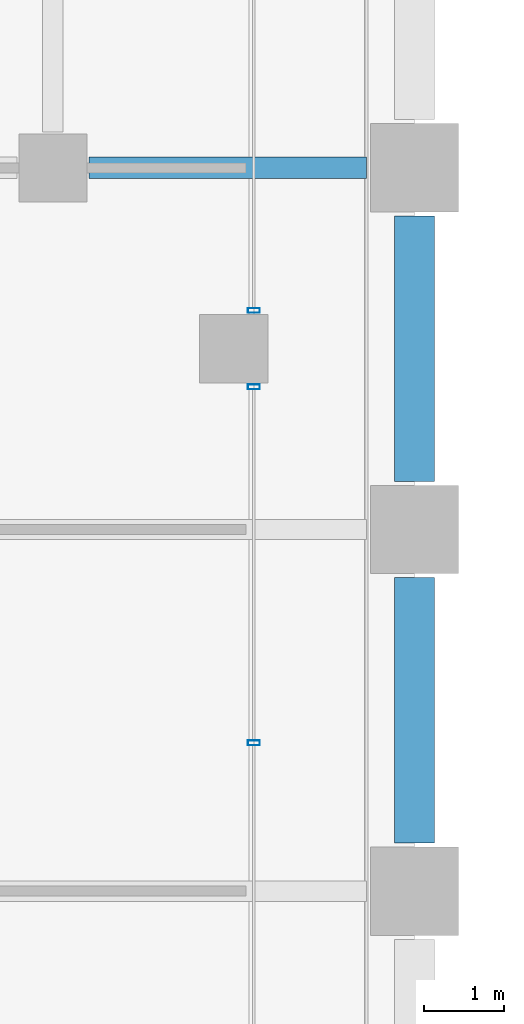
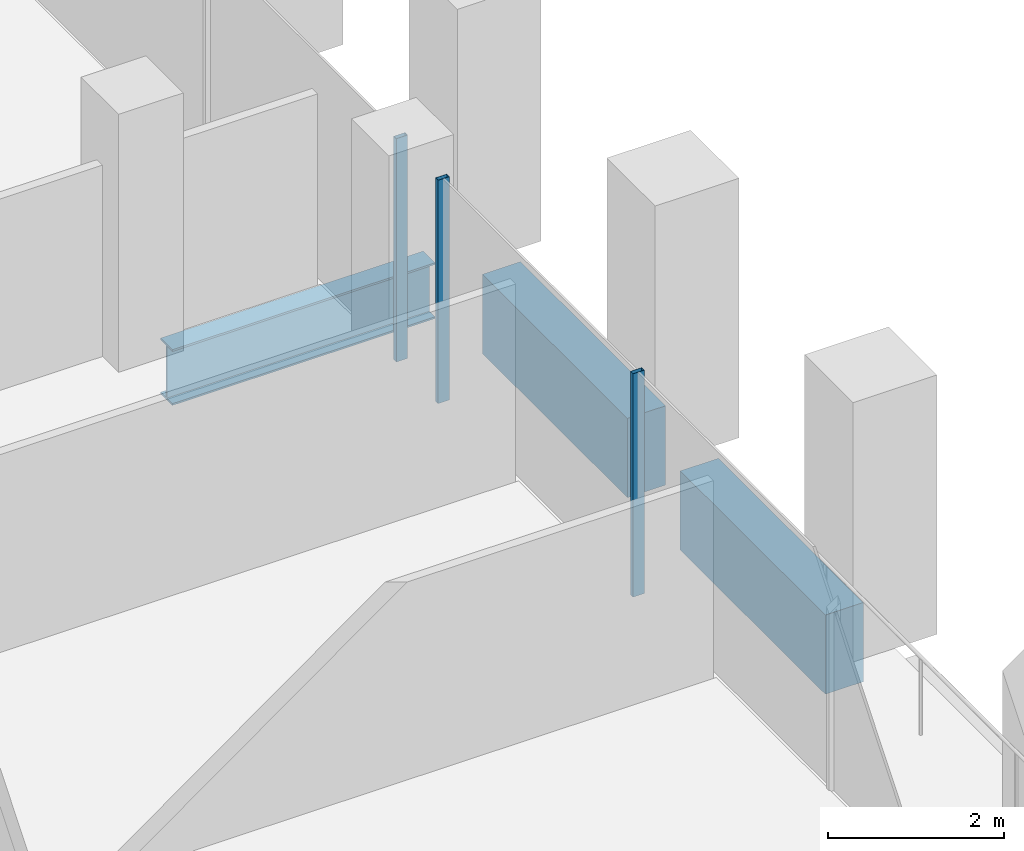
# One storey, part 22 of 55: 3 beams, 3 members, 2 elements without a shape of their own.
"""IFC4 building model written with IfcOpenShell, lengths in metres."""

from ifc_helpers import new_model, si_unit, direction, frame, origin, origin_2d, place, context, subcontext, project, spatial, rectangle, hollow_rectangle, i_section, extrude, material, material_profile, profile_set, type_object, element, aggregate, save


model = new_model("IFC4")

# Units and contexts
model_context = context("Model", 3, precision=1e-05, world=origin(), true_north=direction((0.0, 1.0)))
body_context = subcontext(model_context, "Body", "Model", "MODEL_VIEW")
ifc_project = project(units=[si_unit("LENGTHUNIT", "METRE"), si_unit("AREAUNIT", "SQUARE_METRE"), si_unit("VOLUMEUNIT", "CUBIC_METRE"), si_unit("PLANEANGLEUNIT", "RADIAN"), si_unit("MASSUNIT", "GRAM", prefix="KILO")], contexts=[model_context])

# Site, building, storey
site_placement = place(None, origin())
site = spatial("IfcSite", under=ifc_project, at=site_placement, CompositionType="ELEMENT")
building_placement = place(site_placement, origin())
building = spatial("IfcBuilding", under=site, at=building_placement, Name="Altepetl Exchange Towers", CompositionType="ELEMENT")
storey_placement = place(building_placement, frame((0.0, 0.0, 47.39990234375)))
storey = spatial("IfcBuildingStorey", under=building, at=storey_placement, Name="L10", CompositionType="ELEMENT", Elevation=47.39990234375)

# Beam
ifc_material_1 = material(Name="Steel S355", Category="steel")
ifc_material_profile_1 = material_profile(ifc_material_1, i_section(OverallWidth=0.26806640625, OverallDepth=0.77392578125, WebThickness=0.015380859375, FlangeThickness=0.025390625, at=origin_2d()), Name="W30X132")
ifc_profile_set_1 = profile_set([ifc_material_profile_1], Name="Steel S355")
beam_type_1 = type_object("IfcBeamType", Name="Girder W30X132", PredefinedType="BEAM", material=ifc_profile_set_1)
beam_placement = place(storey_placement, frame((67.949951171875, 58.5, -0.536865234375), z_axis=(1.0, 0.0, 0.0), x_axis=(0.0, 1.0, 0.0)))
element("IfcBeam", 1, at=beam_placement, inside=storey, type_object=beam_type_1, Name="gd:A:L10:002", PredefinedType="BEAM", context=body_context, shape_type="SweptSolid", body=[
    extrude(i_section(OverallWidth=0.26806640625, OverallDepth=0.77392578125, WebThickness=0.015380859375, FlangeThickness=0.025390625, at=origin_2d()), origin(), (0.0, 0.0, 1.0), 3.449951171875),
])

# Curtain wall, members
ifc_material_2 = material(Name="Aluminium 6063-T6 glazing", Category="aluminium")
curtain_wall_type = type_object("IfcCurtainWallType", Name="Loggia glazing system", PredefinedType="NOTDEFINED", material=ifc_material_2)
curtain_wall_1_placement = place(storey_placement, origin())
curtain_wall_1 = element("IfcCurtainWall", 2, at=curtain_wall_1_placement, inside=storey, type_object=curtain_wall_type, Name="CW1 run", PredefinedType="NOTDEFINED")
ifc_material_3 = material(Name="Aluminium 6063-T6", Category="aluminium")
ifc_material_profile_2 = material_profile(ifc_material_3, hollow_rectangle(XDim=0.06005859375, YDim=0.14990234375, WallThickness=0.0029296875, at=origin_2d()), Name="Mullion 60x150 aluminium")
ifc_profile_set_2 = profile_set([ifc_material_profile_2], Name="Aluminium 6063-T6")
member_type = type_object("IfcMemberType", Name="Mullion 60x150 aluminium", PredefinedType="MULLION", material=ifc_profile_set_2)
member_1_placement = place(storey_placement, frame((70.0, 51.343994140625, 0.0), z_axis=(0.0, 0.0, 1.0), x_axis=(0.0, 1.0, 0.0)))
member_1 = element("IfcMember", 3, at=member_1_placement, type_object=member_type, Name="MU1 mullion", PredefinedType="MULLION", context=body_context, shape_type="SweptSolid", body=[
    extrude(hollow_rectangle(XDim=0.06005859375, YDim=0.14990234375, WallThickness=0.0029296875, at=origin_2d()), origin(), (0.0, 0.0, 1.0), 3.10009765625),
])
member_2_placement = place(storey_placement, frame((70.0, 55.77490234375, 0.0), z_axis=(0.0, 0.0, 1.0), x_axis=(0.0, 1.0, 0.0)))
member_2 = element("IfcMember", 4, at=member_2_placement, type_object=member_type, Name="MU1 mullion", PredefinedType="MULLION", context=body_context, shape_type="SweptSolid", body=[
    extrude(hollow_rectangle(XDim=0.06005859375, YDim=0.14990234375, WallThickness=0.0029296875, at=origin_2d()), origin(), (0.0, 0.0, 1.0), 3.10009765625),
])
aggregate(curtain_wall_1, [member_1, member_2])

# Curtain wall, member
curtain_wall_2_placement = place(storey_placement, origin())
curtain_wall_2 = element("IfcCurtainWall", 5, at=curtain_wall_2_placement, inside=storey, type_object=curtain_wall_type, Name="CW1 run", PredefinedType="NOTDEFINED")
member_3_placement = place(storey_placement, frame((70.0, 56.72509765625, 0.0), z_axis=(0.0, 0.0, 1.0), x_axis=(0.0, 1.0, 0.0)))
member_3 = element("IfcMember", 6, at=member_3_placement, type_object=member_type, Name="MU1 mullion", PredefinedType="MULLION", context=body_context, shape_type="SweptSolid", body=[
    extrude(hollow_rectangle(XDim=0.06005859375, YDim=0.14990234375, WallThickness=0.0029296875, at=origin_2d()), origin(), (0.0, 0.0, 1.0), 3.10009765625),
])
aggregate(curtain_wall_2, [member_3])

# Beams
ifc_material_4 = material(Name="Concrete C50/60 precast with cantera amarilla facing", Category="concrete")
ifc_material_profile_3 = material_profile(ifc_material_4, rectangle(XDim=0.5, YDim=1.10009765625, at=origin_2d()), Name="500 x 1100")
ifc_profile_set_3 = profile_set([ifc_material_profile_3], Name="Concrete C50/60 precast with cantera amarilla facing")
beam_type_2 = type_object("IfcBeamType", Name="Spandrel beam 500x1100 cantera amarilla", PredefinedType="SPANDREL", material=ifc_profile_set_3)
for number, where, z_axis, x_axis, name in (
    (7, (72.0, 50.10009765625, -0.699951171875), (0.0, 1.0, 0.0), (-1.0, 0.0, 0.0), "sp:A:L10:016"),
    (8, (72.0, 54.60009765625, -0.699951171875), (0.0, 1.0, 0.0), (-1.0, 0.0, 0.0), "sp:A:L10:017"),
):
    element("IfcBeam", number, at=place(storey_placement, frame(where, z_axis=z_axis, x_axis=x_axis)), inside=storey, type_object=beam_type_2, Name=name, PredefinedType="SPANDREL", context=body_context, shape_type="SweptSolid", body=[
        extrude(rectangle(XDim=0.5, YDim=1.10009765625, at=origin_2d()), origin(), (0.0, 0.0, 1.0), 3.2998046875),
    ])

save(model, "model.ifc")
